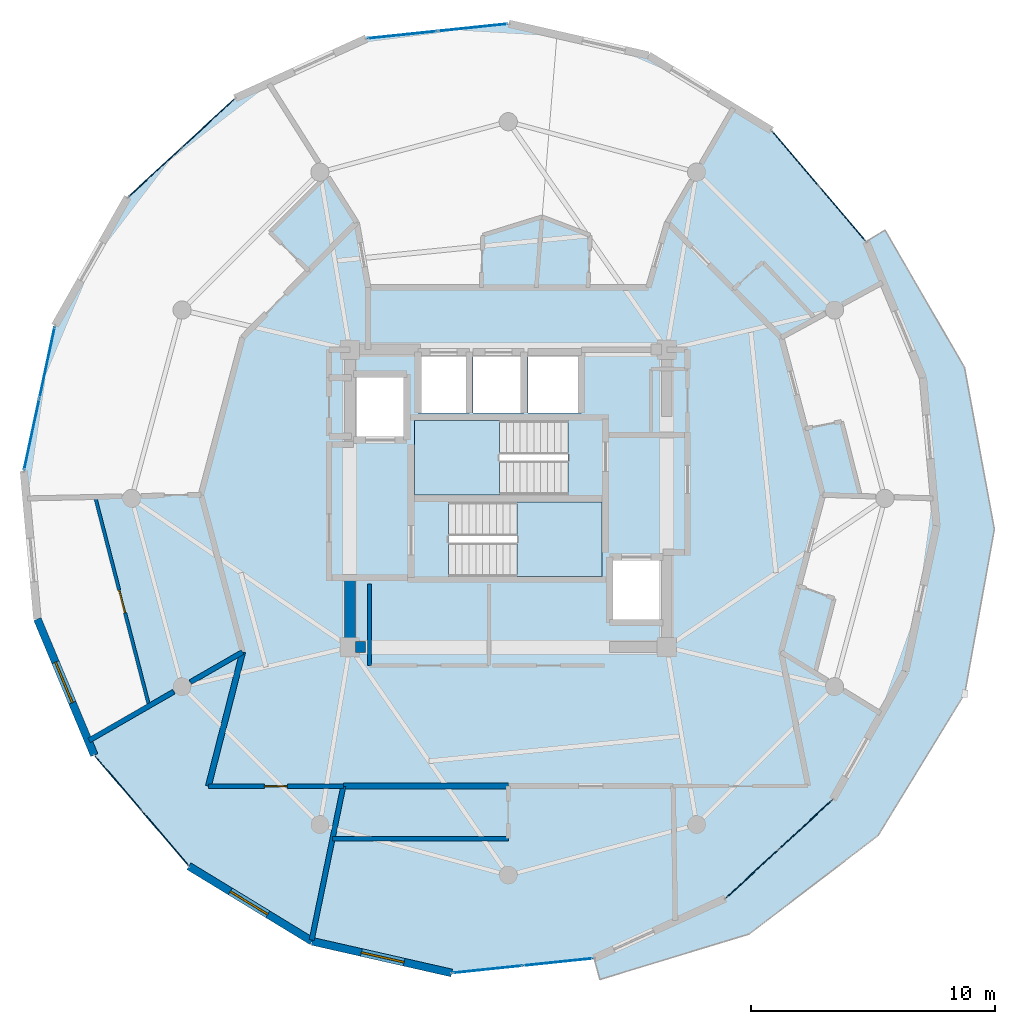
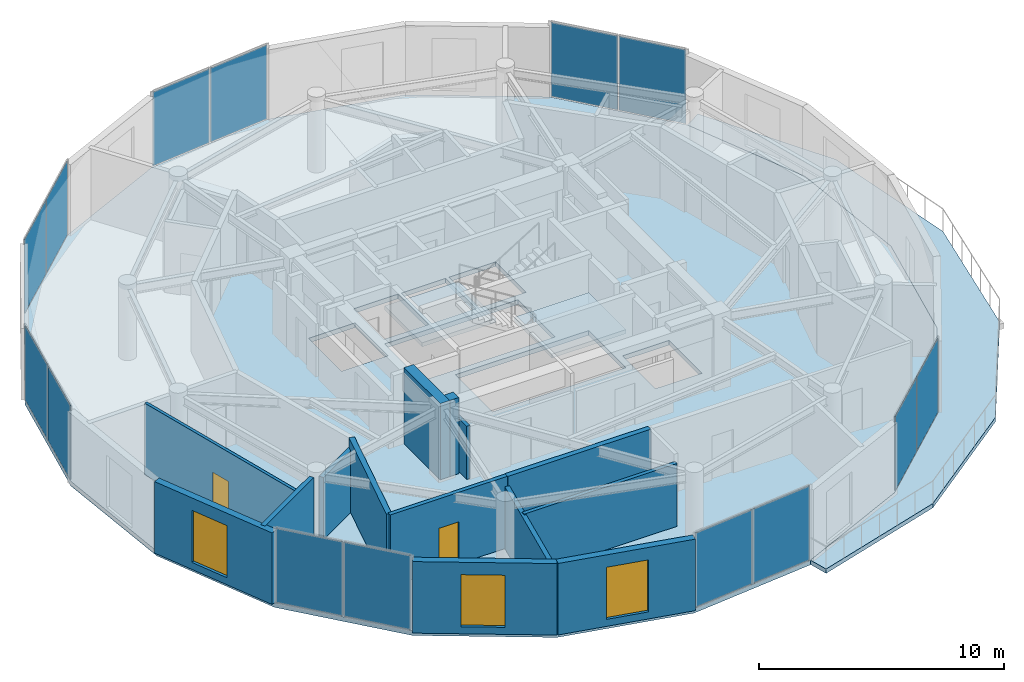
# One storey, part 16 of 22: 14 plates, 14 walls, 4 slabs, 3 windows, 2 doors, 5 openings, 9 elements without a shape of their own.
"""IFC4 building model written with IfcOpenShell, lengths in metres."""

from ifc_helpers import new_model, si_unit, direction, frame, frame_2d, origin, origin_2d, place, context, subcontext, project, spatial, polyline, rectangle, outline, extrude, source, transform, mapped, material, layer, layer_set, type_object, element, fill, aggregate, save


model = new_model("IFC4")

# Units and contexts
model_context = context("Model", 3, precision=1e-05, world=origin(), true_north=direction((0.0, 1.0)))
body_context = subcontext(model_context, "Body", "Model", "MODEL_VIEW")
ifc_project = project(units=[si_unit("LENGTHUNIT", "METRE"), si_unit("AREAUNIT", "SQUARE_METRE"), si_unit("VOLUMEUNIT", "CUBIC_METRE"), si_unit("PLANEANGLEUNIT", "RADIAN"), si_unit("MASSUNIT", "GRAM", prefix="KILO")], contexts=[model_context])

# Site, building, storey
site_placement = place(None, origin())
site = spatial("IfcSite", under=ifc_project, at=site_placement, CompositionType="ELEMENT")
building_placement = place(site_placement, origin())
building = spatial("IfcBuilding", under=site, at=building_placement, Name="Solvirekh Grand Hotel", CompositionType="ELEMENT")
storey_placement = place(building_placement, frame((0.0, 0.0, 289.60009765625)))
storey = spatial("IfcBuildingStorey", under=building, at=storey_placement, Name="L75", CompositionType="ELEMENT", Elevation=289.60009765625)

# Slab
ifc_material_1 = material(Name="Concrete C50/60", Category="concrete")
ifc_layer_1 = layer(ifc_material_1, 0.215087890625)
ifc_layer_set_1 = layer_set([ifc_layer_1], Name="Concrete C50/60")
slab_type_1 = type_object("IfcSlabType", Name="ExtCrescentBalc_215", PredefinedType="FLOOR", material=ifc_layer_set_1)
slab_1_placement = place(storey_placement, frame((0.0, 0.0, -0.215087890625)))
element("IfcSlab", 1, at=slab_1_placement, inside=storey, type_object=slab_type_1, Name="L75 sweeping crescent balcony slab", PredefinedType="FLOOR", context=body_context, shape_type="SweptSolid", body=[
    extrude(outline(polyline([(3.757080078125, -19.72802734375), (9.8740234375, -17.865966796875), (15.1640625, -13.823974609375), (18.718994140625, -8.008056640625), (19.93408203125, -1.26708984375), (18.7099609375, 5.365966796875), (15.447021484375, 11.0009765625), (14.678955078125, 10.531005859375), (17.011962890625, 4.945068359375), (17.56591796875, -1.125), (16.2890625, -7.0849609375), (13.303955078125, -12.35107421875), (8.905029296875, -16.408935546875), (3.52099609375, -18.860107421875), (3.757080078125, -19.72802734375)])), origin(), (0.0, 0.0, 1.0), 0.215087890625),
])

# Stair, slab
ifc_material_2 = material(Name="Concrete C40/50", Category="concrete")
stair_type = type_object("IfcStairType", Name="Stair_Core_1450", PredefinedType="HALF_TURN_STAIR", material=ifc_material_2)
stair_1_placement = place(storey_placement, origin())
stair_1 = element("IfcStair", 2, at=stair_1_placement, inside=storey, type_object=stair_type, Name="L75 Enclosed exit stair ST-1", PredefinedType="HALF_TURN_STAIR")
ifc_layer_2 = layer(ifc_material_2, 0.199951171875)
ifc_layer_set_2 = layer_set([ifc_layer_2], Name="Concrete C40/50")
slab_type_2 = type_object("IfcSlabType", Name="Landing_Stair_200", PredefinedType="LANDING", material=ifc_layer_set_2)
slab_2_placement = place(storey_placement, frame((0.0, 0.0, 1.699951171875)))
slab_2 = element("IfcSlab", 3, at=slab_2_placement, type_object=slab_type_2, Name="ST-1 landing 1", PredefinedType="LANDING", context=body_context, shape_type="SweptSolid", body=[
    extrude(outline(polyline([(0.35009765625, -3.199951171875), (3.85009765625, -3.199951171875), (3.85009765625, -0.14990234375), (0.35009765625, -0.14990234375), (0.35009765625, -3.199951171875)])), origin(), (0.0, 0.0, 1.0), 0.199951171875),
])
aggregate(stair_1, [slab_2])

stair_2_placement = place(storey_placement, origin())
stair_2 = element("IfcStair", 4, at=stair_2_placement, inside=storey, type_object=stair_type, Name="L75 Enclosed exit stair ST-2", PredefinedType="HALF_TURN_STAIR")
slab_3_placement = place(storey_placement, frame((0.0, 0.0, 1.699951171875)))
slab_3 = element("IfcSlab", 5, at=slab_3_placement, type_object=slab_type_2, Name="ST-2 landing 1", PredefinedType="LANDING", context=body_context, shape_type="SweptSolid", body=[
    extrude(outline(polyline([(-0.35009765625, 3.199951171875), (-3.85009765625, 3.199951171875), (-3.85009765625, 0.14990234375), (-0.35009765625, 0.14990234375), (-0.35009765625, 3.199951171875)])), origin(), (0.0, 0.0, 1.0), 0.199951171875),
])
aggregate(stair_2, [slab_3])

# Slab
ifc_layer_3 = layer(ifc_material_2, 0.22998046875)
ifc_layer_set_3 = layer_set([ifc_layer_3], Name="Concrete C40/50")
slab_type_3 = type_object("IfcSlabType", Name="Slab_GuestZ4_230", PredefinedType="FLOOR", material=ifc_layer_set_3)
slab_4_placement = place(storey_placement, frame((0.0, 0.0, -0.22998046875)))
element("IfcSlab", 6, at=slab_4_placement, inside=storey, type_object=slab_type_3, Name="L75 structural floor slab", PredefinedType="FLOOR", context=body_context, shape_type="SweptSolid", body=[
    extrude(outline(polyline([(-2.320068359375, -19.465087890625), (3.52099609375, -18.860107421875), (8.905029296875, -16.408935546875), (13.303955078125, -12.35107421875), (16.2890625, -7.0849609375), (17.56591796875, -1.125), (17.011962890625, 4.945068359375), (14.678955078125, 10.531005859375), (10.798095703125, 15.0859375), (5.74609375, 18.1650390625), (0.02001953125, 19.465087890625), (-5.821044921875, 18.860107421875), (-11.205078125, 16.408935546875), (-15.60400390625, 12.35107421875), (-18.589111328125, 7.0849609375), (-19.865966796875, 1.125), (-19.31201171875, -4.945068359375), (-16.97900390625, -10.531005859375), (-13.097900390625, -15.0859375), (-8.0458984375, -18.1650390625), (-2.320068359375, -19.465087890625)]), holes=[polyline([(-2.444091796875, -0.14990234375), (3.85009765625, -0.14990234375), (3.85009765625, -3.199951171875), (-2.444091796875, -3.199951171875), (-2.444091796875, -0.14990234375)]), polyline([(2.444091796875, 0.14990234375), (-3.85009765625, 0.14990234375), (-3.85009765625, 3.199951171875), (2.444091796875, 3.199951171875), (2.444091796875, 0.14990234375)]), polyline([(-3.699951171875, 6.0), (-1.60009765625, 6.0), (-1.60009765625, 3.5), (-3.699951171875, 3.5), (-3.699951171875, 6.0)]), polyline([(-1.449951171875, 6.0), (0.64990234375, 6.0), (0.64990234375, 3.5), (-1.449951171875, 3.5), (-1.449951171875, 6.0)]), polyline([(0.800048828125, 6.0), (3.0, 6.0), (3.0, 3.5), (0.800048828125, 3.5), (0.800048828125, 6.0)]), polyline([(-6.35009765625, 5.10009765625), (-4.14990234375, 5.10009765625), (-4.14990234375, 2.39990234375), (-6.35009765625, 2.39990234375), (-6.35009765625, 5.10009765625)]), polyline([(4.14990234375, -2.39990234375), (6.35009765625, -2.39990234375), (6.35009765625, -5.10009765625), (4.14990234375, -5.10009765625), (4.14990234375, -2.39990234375)])]), origin(), (0.0, 0.0, 1.0), 0.22998046875),
])

# Curtain wall, plates
ifc_material_3 = material(Name="Anodized Bronze Aluminium 6063-T6", Category="aluminium")
ifc_layer_4 = layer(ifc_material_3, 0.159912109375)
ifc_layer_set_4 = layer_set([ifc_layer_4], Name="Anodized Bronze Aluminium 6063-T6")
curtain_wall_type = type_object("IfcCurtainWallType", Name="CW_Sys4_HighZoneFlushBronzeCW", PredefinedType="NOTDEFINED", material=ifc_layer_set_4)
curtain_wall_1_placement = place(storey_placement, origin())
curtain_wall_1 = element("IfcCurtainWall", 7, at=curtain_wall_1_placement, inside=storey, type_object=curtain_wall_type, Name="L75 unitised bronze-glass curtain wall CW-L75-C03", PredefinedType="NOTDEFINED")
ifc_material_4 = material(Name="Low-E Tinted Bronze Laminated Glass", Category="aluminium")
ifc_layer_5 = layer(ifc_material_4, 0.033935546875)
ifc_layer_set_5 = layer_set([ifc_layer_5], Name="Low-E Tinted Bronze Laminated Glass")
plate_type = type_object("IfcPlateType", Name="CWPanel_High_34", PredefinedType="CURTAIN_PANEL", material=ifc_layer_set_5)
shared_shape_1 = source(origin(), body_context, "Body", "SweptSolid", [
    extrude(rectangle(XDim=2.90234375, YDim=0.033935546875, at=origin_2d()), origin(), (0.0, 0.0, 1.0), 3.68994140625),
])
plate_1_placement = place(storey_placement, frame((10.015869140625, -15.38427734375, 0.054931640625), z_axis=(0.0, 0.0, 1.0), x_axis=(0.73502120868, 0.678044115667, 0.0)))
plate_1 = element("IfcPlate", 8, at=plate_1_placement, type_object=plate_type, Name="U04 panel 1.1", PredefinedType="CURTAIN_PANEL", context=body_context, shape_type="MappedRepresentation", body=[
    mapped(shared_shape_1, transform((0.0, 0.0, 0.0), x_axis=(1.0, 0.0, 0.0), y_axis=(0.0, 1.0, 0.0), z_axis=(0.0, 0.0, 1.0), scale=1.0)),
])
plate_2_placement = place(storey_placement, frame((12.193115234375, -13.375732421875, 0.054931640625), z_axis=(0.0, 0.0, 1.0), x_axis=(0.73502120868, 0.678044115667, 0.0)))
plate_2 = element("IfcPlate", 9, at=plate_2_placement, type_object=plate_type, Name="U04 panel 2.1", PredefinedType="CURTAIN_PANEL", context=body_context, shape_type="MappedRepresentation", body=[
    mapped(shared_shape_1, transform((0.0, 0.0, 0.0), x_axis=(1.0, 0.0, 0.0), y_axis=(0.0, 1.0, 0.0), z_axis=(0.0, 0.0, 1.0), scale=1.0)),
])
aggregate(curtain_wall_1, [plate_1, plate_2])

curtain_wall_2_placement = place(storey_placement, origin())
curtain_wall_2 = element("IfcCurtainWall", 10, at=curtain_wall_2_placement, inside=storey, type_object=curtain_wall_type, Name="L75 unitised bronze-glass curtain wall CW-L75-C13", PredefinedType="NOTDEFINED")
plate_3_placement = place(storey_placement, frame((-12.315673828125, 15.38427734375, 0.054931640625), z_axis=(0.0, 0.0, 1.0), x_axis=(-0.73502120868, -0.678044115667, 0.0)))
plate_3 = element("IfcPlate", 11, at=plate_3_placement, type_object=plate_type, Name="U04 panel 1.1", PredefinedType="CURTAIN_PANEL", context=body_context, shape_type="MappedRepresentation", body=[
    mapped(shared_shape_1, transform((0.0, 0.0, 0.0), x_axis=(1.0, 0.0, 0.0), y_axis=(0.0, 1.0, 0.0), z_axis=(0.0, 0.0, 1.0), scale=1.0)),
])
plate_4_placement = place(storey_placement, frame((-14.4931640625, 13.375732421875, 0.054931640625), z_axis=(0.0, 0.0, 1.0), x_axis=(-0.73502120868, -0.678044115667, 0.0)))
plate_4 = element("IfcPlate", 12, at=plate_4_placement, type_object=plate_type, Name="U04 panel 2.1", PredefinedType="CURTAIN_PANEL", context=body_context, shape_type="MappedRepresentation", body=[
    mapped(shared_shape_1, transform((0.0, 0.0, 0.0), x_axis=(1.0, 0.0, 0.0), y_axis=(0.0, 1.0, 0.0), z_axis=(0.0, 0.0, 1.0), scale=1.0)),
])
aggregate(curtain_wall_2, [plate_3, plate_4])

curtain_wall_3_placement = place(storey_placement, origin())
curtain_wall_3 = element("IfcCurtainWall", 13, at=curtain_wall_3_placement, inside=storey, type_object=curtain_wall_type, Name="L75 unitised bronze-glass curtain wall CW-L75-C01", PredefinedType="NOTDEFINED")
shared_shape_2 = source(origin(), body_context, "Body", "SweptSolid", [
    extrude(rectangle(XDim=2.84619140625, YDim=0.033935546875, at=origin_2d()), origin(), (0.0, 0.0, 1.0), 3.68994140625),
])
plate_5_placement = place(storey_placement, frame((-0.8447265625, -19.312255859375, 0.054931640625), z_axis=(0.0, 0.0, 1.0), x_axis=(0.994678562902, 0.10302696979, 0.0)))
plate_5 = element("IfcPlate", 14, at=plate_5_placement, type_object=plate_type, Name="U04 panel 1.1", PredefinedType="CURTAIN_PANEL", context=body_context, shape_type="MappedRepresentation", body=[
    mapped(shared_shape_2, transform((0.0, 0.0, 0.0), x_axis=(1.0, 0.0, 0.0), y_axis=(0.0, 1.0, 0.0), z_axis=(0.0, 0.0, 1.0), scale=1.0)),
])
plate_6_placement = place(storey_placement, frame((2.0458984375, -19.0126953125, 0.054931640625), z_axis=(0.0, 0.0, 1.0), x_axis=(0.994678562902, 0.10302696979, 0.0)))
plate_6 = element("IfcPlate", 15, at=plate_6_placement, type_object=plate_type, Name="U04 panel 2.1", PredefinedType="CURTAIN_PANEL", context=body_context, shape_type="MappedRepresentation", body=[
    mapped(shared_shape_2, transform((0.0, 0.0, 0.0), x_axis=(1.0, 0.0, 0.0), y_axis=(0.0, 1.0, 0.0), z_axis=(0.0, 0.0, 1.0), scale=1.0)),
])
aggregate(curtain_wall_3, [plate_5, plate_6])

curtain_wall_4_placement = place(storey_placement, origin())
curtain_wall_4 = element("IfcCurtainWall", 16, at=curtain_wall_4_placement, inside=storey, type_object=curtain_wall_type, Name="L75 unitised bronze-glass curtain wall CW-L75-C11", PredefinedType="NOTDEFINED")
plate_7_placement = place(storey_placement, frame((-1.455078125, 19.312255859375, 0.054931640625), z_axis=(0.0, 0.0, 1.0), x_axis=(-0.994678562902, -0.10302696979, 0.0)))
plate_7 = element("IfcPlate", 17, at=plate_7_placement, type_object=plate_type, Name="U04 panel 1.1", PredefinedType="CURTAIN_PANEL", context=body_context, shape_type="MappedRepresentation", body=[
    mapped(shared_shape_2, transform((0.0, 0.0, 0.0), x_axis=(1.0, 0.0, 0.0), y_axis=(0.0, 1.0, 0.0), z_axis=(0.0, 0.0, 1.0), scale=1.0)),
])
plate_8_placement = place(storey_placement, frame((-4.345947265625, 19.0126953125, 0.054931640625), z_axis=(0.0, 0.0, 1.0), x_axis=(-0.994678562902, -0.10302696979, 0.0)))
plate_8 = element("IfcPlate", 18, at=plate_8_placement, type_object=plate_type, Name="U04 panel 2.1", PredefinedType="CURTAIN_PANEL", context=body_context, shape_type="MappedRepresentation", body=[
    mapped(shared_shape_2, transform((0.0, 0.0, 0.0), x_axis=(1.0, 0.0, 0.0), y_axis=(0.0, 1.0, 0.0), z_axis=(0.0, 0.0, 1.0), scale=1.0)),
])
aggregate(curtain_wall_4, [plate_7, plate_8])

curtain_wall_5_placement = place(storey_placement, origin())
curtain_wall_5 = element("IfcCurtainWall", 19, at=curtain_wall_5_placement, inside=storey, type_object=curtain_wall_type, Name="L75 unitised bronze-glass curtain wall CW-L75-C08", PredefinedType="NOTDEFINED")
shared_shape_3 = source(origin(), body_context, "Body", "SweptSolid", [
    extrude(rectangle(XDim=2.902099609375, YDim=0.033935546875, at=origin_2d()), origin(), (0.0, 0.0, 1.0), 3.68994140625),
])
plate_9_placement = place(storey_placement, frame((13.698974609375, 11.68115234375, 0.054931640625), z_axis=(0.0, 0.0, 1.0), x_axis=(-0.648545356749, 0.76117601134, 0.0)))
plate_9 = element("IfcPlate", 20, at=plate_9_placement, type_object=plate_type, Name="U04 panel 1.1", PredefinedType="CURTAIN_PANEL", context=body_context, shape_type="MappedRepresentation", body=[
    mapped(shared_shape_3, transform((0.0, 0.0, 0.0), x_axis=(1.0, 0.0, 0.0), y_axis=(0.0, 1.0, 0.0), z_axis=(0.0, 0.0, 1.0), scale=1.0)),
])
plate_10_placement = place(storey_placement, frame((11.778076171875, 13.935791015625, 0.054931640625), z_axis=(0.0, 0.0, 1.0), x_axis=(-0.648545356749, 0.76117601134, 0.0)))
plate_10 = element("IfcPlate", 21, at=plate_10_placement, type_object=plate_type, Name="U04 panel 2.1", PredefinedType="CURTAIN_PANEL", context=body_context, shape_type="MappedRepresentation", body=[
    mapped(shared_shape_3, transform((0.0, 0.0, 0.0), x_axis=(1.0, 0.0, 0.0), y_axis=(0.0, 1.0, 0.0), z_axis=(0.0, 0.0, 1.0), scale=1.0)),
])
aggregate(curtain_wall_5, [plate_9, plate_10])

curtain_wall_6_placement = place(storey_placement, origin())
curtain_wall_6 = element("IfcCurtainWall", 22, at=curtain_wall_6_placement, inside=storey, type_object=curtain_wall_type, Name="L75 unitised bronze-glass curtain wall CW-L75-C18", PredefinedType="NOTDEFINED")
plate_11_placement = place(storey_placement, frame((-15.9990234375, -11.68115234375, 0.054931640625), z_axis=(0.0, 0.0, 1.0), x_axis=(0.648545356749, -0.76117601134, 0.0)))
plate_11 = element("IfcPlate", 23, at=plate_11_placement, type_object=plate_type, Name="U04 panel 1.1", PredefinedType="CURTAIN_PANEL", context=body_context, shape_type="MappedRepresentation", body=[
    mapped(shared_shape_3, transform((0.0, 0.0, 0.0), x_axis=(1.0, 0.0, 0.0), y_axis=(0.0, 1.0, 0.0), z_axis=(0.0, 0.0, 1.0), scale=1.0)),
])
plate_12_placement = place(storey_placement, frame((-14.077880859375, -13.935791015625, 0.054931640625), z_axis=(0.0, 0.0, 1.0), x_axis=(0.648545356749, -0.76117601134, 0.0)))
plate_12 = element("IfcPlate", 24, at=plate_12_placement, type_object=plate_type, Name="U04 panel 2.1", PredefinedType="CURTAIN_PANEL", context=body_context, shape_type="MappedRepresentation", body=[
    mapped(shared_shape_3, transform((0.0, 0.0, 0.0), x_axis=(1.0, 0.0, 0.0), y_axis=(0.0, 1.0, 0.0), z_axis=(0.0, 0.0, 1.0), scale=1.0)),
])
aggregate(curtain_wall_6, [plate_11, plate_12])

curtain_wall_7_placement = place(storey_placement, origin())
curtain_wall_7 = element("IfcCurtainWall", 25, at=curtain_wall_7_placement, inside=storey, type_object=curtain_wall_type, Name="L75 unitised bronze-glass curtain wall CW-L75-C15", PredefinedType="NOTDEFINED")
shared_shape_4 = source(origin(), body_context, "Body", "SweptSolid", [
    extrude(rectangle(XDim=2.95751953125, YDim=0.033935546875, at=origin_2d()), origin(), (0.0, 0.0, 1.0), 3.68994140625),
])
plate_13_placement = place(storey_placement, frame((-18.911376953125, 5.580322265625, 0.054931640625), z_axis=(0.0, 0.0, 1.0), x_axis=(-0.209506680265, -0.977807215623, 0.0)))
plate_13 = element("IfcPlate", 26, at=plate_13_placement, type_object=plate_type, Name="U04 panel 1.1", PredefinedType="CURTAIN_PANEL", context=body_context, shape_type="MappedRepresentation", body=[
    mapped(shared_shape_4, transform((0.0, 0.0, 0.0), x_axis=(1.0, 0.0, 0.0), y_axis=(0.0, 1.0, 0.0), z_axis=(0.0, 0.0, 1.0), scale=1.0)),
])
plate_14_placement = place(storey_placement, frame((-19.543701171875, 2.629638671875, 0.054931640625), z_axis=(0.0, 0.0, 1.0), x_axis=(-0.209506680265, -0.977807215623, 0.0)))
plate_14 = element("IfcPlate", 27, at=plate_14_placement, type_object=plate_type, Name="U04 panel 2.1", PredefinedType="CURTAIN_PANEL", context=body_context, shape_type="MappedRepresentation", body=[
    mapped(shared_shape_4, transform((0.0, 0.0, 0.0), x_axis=(1.0, 0.0, 0.0), y_axis=(0.0, 1.0, 0.0), z_axis=(0.0, 0.0, 1.0), scale=1.0)),
])
aggregate(curtain_wall_7, [plate_13, plate_14])

# Walls
ifc_layer_6 = layer(ifc_material_1, 0.449951171875)
ifc_layer_set_6 = layer_set([ifc_layer_6], Name="Concrete C50/60")
wall_type_1 = type_object("IfcWallType", Name="CoreWall_RC450", PredefinedType="SHEAR", material=ifc_layer_set_6)
wall_1_placement = place(storey_placement, frame((-6.27490234375, -6.10009765625, 0.0), z_axis=(0.0, 0.0, 1.0), x_axis=(1.0, 0.0, 0.0)))
element("IfcWall", 28, at=wall_1_placement, inside=storey, type_object=wall_type_1, Name="L75 core corner shear wall SW-S", PredefinedType="SHEAR", context=body_context, shape_type="SweptSolid", body=[
    extrude(rectangle(XDim=0.4248046875, YDim=0.449951171875, at=frame_2d((0.21240234375, 0.0))), origin(), (0.0, 0.0, 1.0), 3.7998046875),
])
wall_2_placement = place(storey_placement, frame((-6.5, -6.324951171875, 0.0), z_axis=(0.0, 0.0, 1.0), x_axis=(0.0, 1.0, 0.0)))
element("IfcWall", 29, at=wall_2_placement, inside=storey, type_object=wall_type_1, Name="L75 core corner shear wall WS-W", PredefinedType="SHEAR", context=body_context, shape_type="SweptSolid", body=[
    extrude(rectangle(XDim=2.974853515625, YDim=0.449951171875, at=frame_2d((1.4873046875, 0.0))), origin(), (0.0, 0.0, 1.0), 3.7998046875),
])

# Wall, opening, window
ifc_material_5 = material(Name="Precast concrete C45/55", Category="concrete")
ifc_layer_7 = layer(ifc_material_5, 0.320068359375)
ifc_layer_set_7 = layer_set([ifc_layer_7], Name="Precast concrete C45/55")
wall_type_2 = type_object("IfcWallType", Name="ExtLobbyWall_RC320", PredefinedType="SOLIDWALL", material=ifc_layer_set_7)
wall_3_placement = place(storey_placement, frame((-16.97900390625, -10.531005859375, 0.0), z_axis=(0.0, 0.0, 1.0), x_axis=(-0.385394166941, 0.922752044749, 0.0)))
wall_3 = element("IfcWall", 30, at=wall_3_placement, inside=storey, type_object=wall_type_2, Name="L75 exterior structural wall chord 17", PredefinedType="SOLIDWALL", context=body_context, shape_type="SweptSolid", body=[
    extrude(rectangle(XDim=6.053466796875, YDim=0.320068359375, at=frame_2d((3.02685546875, 0.0))), origin(), (0.0, 0.0, 1.0), 3.56982421875),
])
opening_1_placement = place(wall_3_placement, frame((2.3330078125, 0.0, 0.35009765625)))
opening_1 = element("IfcOpeningElement", 31, at=opening_1_placement, cuts=wall_3, Name="Opening W02", PredefinedType="OPENING", context=body_context, shape_type="SweptSolid", body=[
    extrude(rectangle(XDim=1.800048828125, YDim=2.60009765625, at=frame_2d((0.89990234375, 1.300048828125))), frame((0.0, 0.169921875, 0.0), z_axis=(0.0, -1.0, 0.0), x_axis=(1.0, 0.0, 0.0)), (0.0, 0.0, 1.0), 0.340087890625),
])
window_type = type_object("IfcWindowType", Name="Win_LobbyExt_1800X2600", PartitioningType="SINGLE_PANEL", PredefinedType="WINDOW", material=ifc_material_4)
window_1_placement = place(opening_1_placement, origin())
window_1 = element("IfcWindow", 32, at=window_1_placement, inside=storey, type_object=window_type, Name="L75 panoramic bronze-framed window 17", OverallHeight=2.60009765625, OverallWidth=1.800048828125, PartitioningType="SINGLE_PANEL", PredefinedType="WINDOW", context=body_context, shape_type="SweptSolid", body=[
    extrude(rectangle(XDim=1.800048828125, YDim=2.60009765625, at=frame_2d((0.89990234375, 1.300048828125))), frame((0.0, 0.030029296875, 0.0), z_axis=(0.0, -1.0, 0.0), x_axis=(1.0, 0.0, 0.0)), (0.0, 0.0, 1.0), 0.06005859375),
])
fill(opening_1, window_1)

wall_4_placement = place(storey_placement, frame((-8.0458984375, -18.1650390625, 0.0), z_axis=(0.0, 0.0, 1.0), x_axis=(-0.853900395315, 0.520436465748, 0.0)))
wall_4 = element("IfcWall", 33, at=wall_4_placement, inside=storey, type_object=wall_type_2, Name="L75 exterior structural wall chord 19", PredefinedType="SOLIDWALL", context=body_context, shape_type="SweptSolid", body=[
    extrude(rectangle(XDim=5.91650390625, YDim=0.320068359375, at=frame_2d((2.958251953125, 0.0))), origin(), (0.0, 0.0, 1.0), 3.56982421875),
])
opening_2_placement = place(wall_4_placement, frame((2.1298828125, 0.0, 0.35009765625)))
opening_2 = element("IfcOpeningElement", 34, at=opening_2_placement, cuts=wall_4, Name="Opening W02", PredefinedType="OPENING", context=body_context, shape_type="SweptSolid", body=[
    extrude(rectangle(XDim=1.800048828125, YDim=2.60009765625, at=frame_2d((0.89990234375, 1.300048828125))), frame((0.0, 0.169921875, 0.0), z_axis=(0.0, -1.0, 0.0), x_axis=(1.0, 0.0, 0.0)), (0.0, 0.0, 1.0), 0.340087890625),
])
window_2_placement = place(opening_2_placement, origin())
window_2 = element("IfcWindow", 35, at=window_2_placement, inside=storey, type_object=window_type, Name="L75 panoramic bronze-framed window 19", OverallHeight=2.60009765625, OverallWidth=1.800048828125, PartitioningType="SINGLE_PANEL", PredefinedType="WINDOW", context=body_context, shape_type="SweptSolid", body=[
    extrude(rectangle(XDim=1.800048828125, YDim=2.60009765625, at=frame_2d((0.89990234375, 1.300048828125))), frame((0.0, 0.030029296875, 0.0), z_axis=(0.0, -1.0, 0.0), x_axis=(1.0, 0.0, 0.0)), (0.0, 0.0, 1.0), 0.06005859375),
])
fill(opening_2, window_2)

wall_5_placement = place(storey_placement, frame((-2.320068359375, -19.465087890625, 0.0), z_axis=(0.0, 0.0, 1.0), x_axis=(-0.975179805598, 0.221414423093, 0.0)))
wall_5 = element("IfcWall", 36, at=wall_5_placement, inside=storey, type_object=wall_type_2, Name="L75 exterior structural wall chord 20", PredefinedType="SOLIDWALL", context=body_context, shape_type="SweptSolid", body=[
    extrude(rectangle(XDim=5.87158203125, YDim=0.320068359375, at=frame_2d((2.935791015625, 0.0))), origin(), (0.0, 0.0, 1.0), 3.56982421875),
])
opening_3_placement = place(wall_5_placement, frame((2.0, 0.0, 0.35009765625)))
opening_3 = element("IfcOpeningElement", 37, at=opening_3_placement, cuts=wall_5, Name="Opening W02", PredefinedType="OPENING", context=body_context, shape_type="SweptSolid", body=[
    extrude(rectangle(XDim=1.800048828125, YDim=2.60009765625, at=frame_2d((0.89990234375, 1.300048828125))), frame((0.0, 0.169921875, 0.0), z_axis=(0.0, -1.0, 0.0), x_axis=(1.0, 0.0, 0.0)), (0.0, 0.0, 1.0), 0.340087890625),
])
window_3_placement = place(opening_3_placement, origin())
window_3 = element("IfcWindow", 38, at=window_3_placement, inside=storey, type_object=window_type, Name="L75 panoramic bronze-framed window 20", OverallHeight=2.60009765625, OverallWidth=1.800048828125, PartitioningType="SINGLE_PANEL", PredefinedType="WINDOW", context=body_context, shape_type="SweptSolid", body=[
    extrude(rectangle(XDim=1.800048828125, YDim=2.60009765625, at=frame_2d((0.89990234375, 1.300048828125))), frame((0.0, 0.030029296875, 0.0), z_axis=(0.0, -1.0, 0.0), x_axis=(1.0, 0.0, 0.0)), (0.0, 0.0, 1.0), 0.06005859375),
])
fill(opening_3, window_3)

# Walls
ifc_material_6 = material(Name="Acoustic Gypsum Partition Assembly")
ifc_layer_8 = layer(ifc_material_6, 0.1650390625)
ifc_layer_set_8 = layer_set([ifc_layer_8], Name="Acoustic Gypsum Partition Assembly")
wall_type_3 = type_object("IfcWallType", Name="Part_BOH_165", PredefinedType="PARTITIONING", material=ifc_layer_set_8)
wall_6_placement = place(storey_placement, frame((-5.699951171875, -3.5, 0.0), z_axis=(0.0, 0.0, 1.0), x_axis=(0.0, -1.0, 0.0)))
element("IfcWall", 39, at=wall_6_placement, inside=storey, type_object=wall_type_3, Name="L75 High-Zone Housekeeping Linen Room wall 4", PredefinedType="PARTITIONING", context=body_context, shape_type="SweptSolid", body=[
    extrude(rectangle(XDim=3.35009765625, YDim=0.1650390625, at=frame_2d((1.675048828125, 0.0))), origin(), (0.0, 0.0, 1.0), 2.65478515625),
])
ifc_layer_9 = layer(ifc_material_6, 0.239990234375)
ifc_layer_set_9 = layer_set([ifc_layer_9], Name="Acoustic Gypsum Partition Assembly")
wall_type_4 = type_object("IfcWallType", Name="Part_Corridor_240", PredefinedType="PARTITIONING", material=ifc_layer_set_9)
wall_7_placement = place(storey_placement, frame((-10.89208984375, -6.300048828125, 0.0), z_axis=(0.0, 0.0, 1.0), x_axis=(-0.247995630193, -0.968761150855, 0.0)))
element("IfcWall", 40, at=wall_7_placement, inside=storey, type_object=wall_type_4, Name="L75 L75 Imperial Belvedere Lounge corridor wall 1", PredefinedType="PARTITIONING", context=body_context, shape_type="SweptSolid", body=[
    extrude(rectangle(XDim=5.67724609375, YDim=0.239990234375, at=frame_2d((2.838623046875, 0.0))), origin(), (0.0, 0.0, 1.0), 3.56982421875),
])
wall_8_placement = place(storey_placement, frame((-6.764892578125, -11.800048828125, 0.0), z_axis=(0.0, 0.0, 1.0), x_axis=(1.0, 0.0, 0.0)))
element("IfcWall", 41, at=wall_8_placement, inside=storey, type_object=wall_type_4, Name="L75 En-suite Bathroom 7707 corridor backing wall", PredefinedType="PARTITIONING", context=body_context, shape_type="SweptSolid", body=[
    extrude(rectangle(XDim=6.764892578125, YDim=0.239990234375, at=frame_2d((3.38232421875, 0.0))), origin(), (0.0, 0.0, 1.0), 3.56982421875),
])

# Wall, opening, door
ifc_layer_10 = layer(ifc_material_6, 0.18994140625)
ifc_layer_set_10 = layer_set([ifc_layer_10], Name="Acoustic Gypsum Partition Assembly")
wall_type_5 = type_object("IfcWallType", Name="Part_GuestDemise_190", PredefinedType="PARTITIONING", material=ifc_layer_set_10)
wall_9_placement = place(storey_placement, frame((-12.300048828125, -11.800048828125, 0.0), z_axis=(0.0, 0.0, 1.0), x_axis=(1.0, 0.0, 0.0)))
wall_9 = element("IfcWall", 42, at=wall_9_placement, inside=storey, type_object=wall_type_5, Name="L75 L75 Imperial Belvedere Lounge entrance wall", PredefinedType="PARTITIONING", context=body_context, shape_type="SweptSolid", body=[
    extrude(rectangle(XDim=5.53515625, YDim=0.18994140625, at=frame_2d((2.767578125, 0.0))), origin(), (0.0, 0.0, 1.0), 3.56982421875),
])
opening_4_placement = place(wall_9_placement, frame((2.29296875, 0.0, 0.0)))
opening_4 = element("IfcOpeningElement", 43, at=opening_4_placement, cuts=wall_9, Name="Opening D10", PredefinedType="OPENING", context=body_context, shape_type="SweptSolid", body=[
    extrude(rectangle(XDim=0.949951171875, YDim=2.10009765625, at=frame_2d((0.47509765625, 1.050048828125))), frame((0.0, 0.10498046875, 0.0), z_axis=(0.0, -1.0, 0.0), x_axis=(1.0, 0.0, 0.0)), (0.0, 0.0, 1.0), 0.2099609375),
])
door_type = type_object("IfcDoorType", Name="Door_RoomInt_950X2100", OperationType="NOTDEFINED", PredefinedType="DOOR", material=ifc_material_3)
door_1_placement = place(opening_4_placement, origin())
door_1 = element("IfcDoor", 44, at=door_1_placement, inside=storey, type_object=door_type, Name="L75 L75 Imperial Belvedere Lounge entrance door", OperationType="SINGLE_SWING_LEFT", OverallHeight=2.10009765625, OverallWidth=0.949951171875, PredefinedType="DOOR", context=body_context, shape_type="SweptSolid", body=[
    extrude(rectangle(XDim=0.949951171875, YDim=2.10009765625, at=frame_2d((0.47509765625, 1.050048828125))), frame((0.0, 0.02490234375, 0.0), z_axis=(0.0, -1.0, 0.0), x_axis=(1.0, 0.0, 0.0)), (0.0, 0.0, 1.0), 0.050048828125),
])
fill(opening_4, door_1)

ifc_layer_11 = layer(ifc_material_6, 0.135009765625)
ifc_layer_set_11 = layer_set([ifc_layer_11], Name="Acoustic Gypsum Partition Assembly")
wall_type_6 = type_object("IfcWallType", Name="Part_RoomInt_135", PredefinedType="PARTITIONING", material=ifc_layer_set_11)
wall_10_placement = place(storey_placement, frame((-16.945068359375, 0.05810546875, 0.0), z_axis=(0.0, 0.0, 1.0), x_axis=(0.249960615912, -0.968256004625, 0.0)))
wall_10 = element("IfcWall", 45, at=wall_10_placement, inside=storey, type_object=wall_type_6, Name="L75 Diplomatic Suite 7703 Suite Foyer bedroom screen wall", PredefinedType="PARTITIONING", context=body_context, shape_type="SweptSolid", body=[
    extrude(rectangle(XDim=8.85009765625, YDim=0.135009765625, at=frame_2d((4.425048828125, 0.0))), origin(), (0.0, 0.0, 1.0), 3.56982421875),
])
opening_5_placement = place(wall_10_placement, frame((3.949951171875, 0.0, 0.0)))
opening_5 = element("IfcOpeningElement", 46, at=opening_5_placement, cuts=wall_10, Name="Opening D10", PredefinedType="OPENING", context=body_context, shape_type="SweptSolid", body=[
    extrude(rectangle(XDim=0.949951171875, YDim=2.10009765625, at=frame_2d((0.47509765625, 1.050048828125))), frame((0.0, 0.07763671875, 0.0), z_axis=(0.0, -1.0, 0.0), x_axis=(1.0, 0.0, 0.0)), (0.0, 0.0, 1.0), 0.155029296875),
])
door_2_placement = place(opening_5_placement, origin())
door_2 = element("IfcDoor", 47, at=door_2_placement, inside=storey, type_object=door_type, Name="L75 Diplomatic Suite 7703 Suite Foyer master bedroom door", OperationType="SINGLE_SWING_RIGHT", OverallHeight=2.10009765625, OverallWidth=0.949951171875, PredefinedType="DOOR", context=body_context, shape_type="SweptSolid", body=[
    extrude(rectangle(XDim=0.949951171875, YDim=2.10009765625, at=frame_2d((0.47509765625, 1.050048828125))), frame((0.0, 0.02490234375, 0.0), z_axis=(0.0, -1.0, 0.0), x_axis=(1.0, 0.0, 0.0)), (0.0, 0.0, 1.0), 0.050048828125),
])
fill(opening_5, door_2)

# Walls
ifc_layer_12 = layer(ifc_material_6, 0.2099609375)
ifc_layer_set_12 = layer_set([ifc_layer_12], Name="Acoustic Gypsum Partition Assembly")
wall_type_7 = type_object("IfcWallType", Name="Part_SuiteDemise_210", PredefinedType="PARTITIONING", material=ifc_layer_set_12)
wall_11_placement = place(storey_placement, frame((-10.89208984375, -6.300048828125, 0.0), z_axis=(0.0, 0.0, 1.0), x_axis=(-0.866768644494, -0.498710453993, 0.0)))
element("IfcWall", 48, at=wall_11_placement, inside=storey, type_object=wall_type_7, Name="L75 suite radial wall 8 (A)", PredefinedType="PARTITIONING", context=body_context, shape_type="SweptSolid", body=[
    extrude(rectangle(XDim=2.47216796875, YDim=0.2099609375, at=frame_2d((1.236083984375, 0.0))), origin(), (0.0, 0.0, 1.0), 3.0849609375),
])
wall_12_placement = place(storey_placement, frame((-13.718994140625, -7.927001953125, 0.0), z_axis=(0.0, 0.0, 1.0), x_axis=(-0.866707942238, -0.498815940865, 0.0)))
element("IfcWall", 49, at=wall_12_placement, inside=storey, type_object=wall_type_7, Name="L75 suite radial wall 8 (B)", PredefinedType="PARTITIONING", context=body_context, shape_type="SweptSolid", body=[
    extrude(rectangle(XDim=4.003662109375, YDim=0.2099609375, at=frame_2d((2.001953125, 0.0))), origin(), (0.0, 0.0, 1.0), 3.56982421875),
])
wall_13_placement = place(storey_placement, frame((-6.764892578125, -11.800048828125, 0.0), z_axis=(0.0, 0.0, 1.0), x_axis=(-0.201390879279, -0.979510956418, 0.0)))
element("IfcWall", 50, at=wall_13_placement, inside=storey, type_object=wall_type_7, Name="L75 L75 Imperial Belvedere Lounge dividing partition 1", PredefinedType="PARTITIONING", context=body_context, shape_type="SweptSolid", body=[
    extrude(rectangle(XDim=6.44091796875, YDim=0.2099609375, at=frame_2d((3.220458984375, 0.0))), origin(), (0.0, 0.0, 1.0), 3.0849609375),
])
ifc_layer_13 = layer(ifc_material_6, 0.175048828125)
ifc_layer_set_13 = layer_set([ifc_layer_13], Name="Acoustic Gypsum Partition Assembly")
wall_type_8 = type_object("IfcWallType", Name="Plumb_Ensuite_175", PredefinedType="PLUMBINGWALL", material=ifc_layer_set_13)
wall_14_placement = place(storey_placement, frame((-7.2080078125, -13.955078125, 0.0), z_axis=(0.0, 0.0, 1.0), x_axis=(1.0, 0.0, 0.0)))
element("IfcWall", 51, at=wall_14_placement, inside=storey, type_object=wall_type_8, Name="L75 En-suite Bathroom 7707 outer plumbing wall", PredefinedType="PLUMBINGWALL", context=body_context, shape_type="SweptSolid", body=[
    extrude(rectangle(XDim=7.2080078125, YDim=0.175048828125, at=frame_2d((3.60400390625, 0.0))), origin(), (0.0, 0.0, 1.0), 3.137939453125),
])

save(model, "model.ifc")
